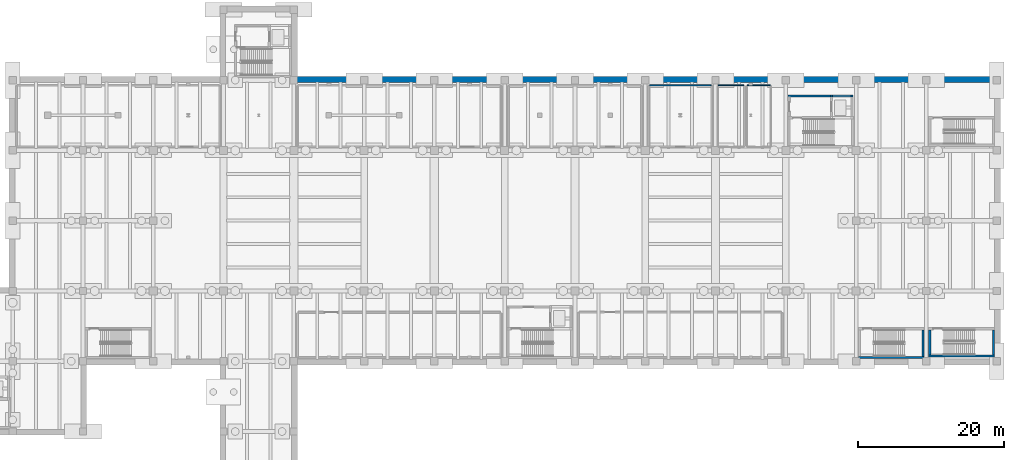
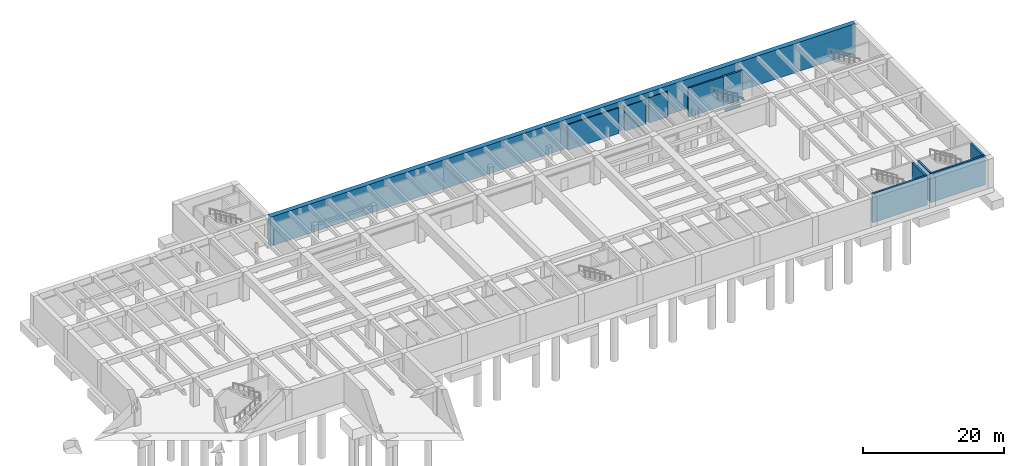
# One storey, part 13 of 24: 12 walls.
"""IFC4 building model written with IfcOpenShell, lengths in metres."""

import ifcopenshell
import ifcopenshell.guid

model = None  # the IFC model being written
_history = None  # IfcOwnerHistory: only IFC2X3 demands one
_inside = {}  # id of a spatial element -> (the spatial element, [elements in it])
_under = {}  # id of a project, library or spatial element -> (it, [spatial elements below it])
_declared = {}  # id of a project -> (the project, [libraries it declares])
_typed = {}  # id of a type object -> (the type object, [elements of that type])
_made_of = {}  # id of a material, layer set ... -> (it, [elements and type objects made of it])


def new_model(schema):
    """Start an empty IFC model of exactly this schema.

    Asked for "IFC4X3", IfcOpenShell would pick the latest addendum, in which some entities
    have other attributes; the version numbers below select the first issue.
    IFC2X3 requires an IfcOwnerHistory on every rooted entity: one is made here for all.
    """
    global model, _history
    if schema == "IFC4X3":
        model = ifcopenshell.file(schema_version=(4, 3, 0, 0))
    else:
        model = ifcopenshell.file(schema=schema)
    _inside.clear()
    _under.clear()
    _declared.clear()
    _typed.clear()
    _made_of.clear()
    _history = None
    if model.schema == "IFC2X3":
        org = make("IfcOrganization", Name="unknown")
        user = make(
            "IfcPersonAndOrganization",
            ThePerson=make("IfcPerson", FamilyName="unknown"),
            TheOrganization=org,
        )
        app = make(
            "IfcApplication",
            ApplicationDeveloper=org,
            Version="unknown",
            ApplicationFullName="unknown",
            ApplicationIdentifier="unknown",
        )
        _history = make(
            "IfcOwnerHistory",
            OwningUser=user,
            OwningApplication=app,
            ChangeAction="ADDED",
            CreationDate=0,
        )
    return model


def make(cls, **values):
    """One entity of the class cls with the attributes given. An attribute that is None is left unset."""
    return model.create_entity(
        cls, **{name: value for name, value in values.items() if value is not None}
    )


def rooted(cls, **values):
    """An entity with a GlobalId (a new one), such as an element, a storey or a relation."""
    return make(cls, GlobalId=ifcopenshell.guid.new(), OwnerHistory=_history, **values)


def si_unit(unit_type, name, prefix=None):
    """IfcSIUnit, for example si_unit("LENGTHUNIT", "METRE", prefix="MILLI")."""
    return make("IfcSIUnit", UnitType=unit_type, Prefix=prefix, Name=name)


def assignment(units):
    """IfcUnitAssignment: the units of a project."""
    return None if units is None else make("IfcUnitAssignment", Units=units)


def point(xyz):
    """IfcCartesianPoint."""
    return None if xyz is None else make("IfcCartesianPoint", Coordinates=xyz)


def direction(xyz):
    """IfcDirection."""
    return None if xyz is None else make("IfcDirection", DirectionRatios=xyz)


def frame(location, z_axis=None, x_axis=None):
    """IfcAxis2Placement3D, a coordinate frame: its origin and axes. An axis left out is left unset."""
    return make(
        "IfcAxis2Placement3D",
        Location=point(location),
        Axis=direction(z_axis),
        RefDirection=direction(x_axis),
    )


def frame_2d(location, x_axis=None):
    """IfcAxis2Placement2D, a coordinate frame in the plane: its origin and x axis."""
    return make(
        "IfcAxis2Placement2D", Location=point(location), RefDirection=direction(x_axis)
    )


def origin():
    """The frame at (0, 0, 0) with its axes left unset."""
    return frame((0.0, 0.0, 0.0))


def place(relative_to, where):
    """IfcLocalPlacement: puts the frame where relative to a parent placement (None: the world)."""
    return make(
        "IfcLocalPlacement", PlacementRelTo=relative_to, RelativePlacement=where
    )


def context(
    kind, dimensions, precision=None, world=None, true_north=None, identifier=None
):
    """IfcGeometricRepresentationContext, for example the 3D "Model" context."""
    return make(
        "IfcGeometricRepresentationContext",
        ContextIdentifier=identifier,
        ContextType=kind,
        CoordinateSpaceDimension=dimensions,
        Precision=precision,
        WorldCoordinateSystem=world,
        TrueNorth=true_north,
    )


def subcontext(parent, identifier, kind, view, scale=None):
    """IfcGeometricRepresentationSubContext, for example "Body" below "Model"."""
    return make(
        "IfcGeometricRepresentationSubContext",
        ContextIdentifier=identifier,
        ContextType=kind,
        ParentContext=parent,
        TargetScale=scale,
        TargetView=view,
    )


def project(units=None, contexts=None):
    """IfcProject with its units and contexts."""
    return rooted(
        "IfcProject",
        Name="project",
        RepresentationContexts=contexts,
        UnitsInContext=assignment(units),
    )


def spatial(cls, under=None, at=None, **own):
    """A site, building, storey or space (cls), placed at a placement, below another one or the project."""
    s = rooted(cls, ObjectPlacement=at, **own)
    if under is not None:
        _under.setdefault(under.id(), (under, []))[1].append(s)
    return s


def profile(cls, at=None, kind="AREA", **sizes):
    """A parametric profile (cls). Its sizes go by their IFC names, for example OverallWidth=200.0."""
    return make(cls, ProfileType=kind, Position=at, **sizes)


def rectangle(**sizes):
    """IfcRectangleProfileDef."""
    return profile("IfcRectangleProfileDef", **sizes)


def extrude(swept, where, along, depth):
    """IfcExtrudedAreaSolid: the profile swept, set in the frame where, extruded along a direction by depth."""
    return make(
        "IfcExtrudedAreaSolid",
        SweptArea=swept,
        Position=where,
        ExtrudedDirection=direction(along),
        Depth=depth,
    )


def shape(context_of_items, identifier, shape_type, items):
    """IfcShapeRepresentation: the items that make up one representation, for example the "Body"."""
    return make(
        "IfcShapeRepresentation",
        ContextOfItems=context_of_items,
        RepresentationIdentifier=identifier,
        RepresentationType=shape_type,
        Items=items,
    )


def material(Name=None, Category=None):
    """IfcMaterial."""
    return make("IfcMaterial", Name=Name, Category=Category)


def layer(
    of_material, thickness, ventilated=None, Name=None, Category=None, Priority=None
):
    """IfcMaterialLayer: one layer of a wall or slab, of a material (None: an air gap)."""
    return make(
        "IfcMaterialLayer",
        Material=of_material,
        LayerThickness=thickness,
        IsVentilated=ventilated,
        Name=Name,
        Category=Category,
        Priority=Priority,
    )


def layer_set(layers, Name=None):
    """IfcMaterialLayerSet."""
    return make("IfcMaterialLayerSet", MaterialLayers=layers, LayerSetName=Name)


def made_of(thing, what):
    """Note that an element or type object is made of a material, layer set ...; save() writes the relation."""
    if what is not None:
        _made_of.setdefault(what.id(), (what, []))[1].append(thing)
    return thing


def type_object(cls, material=None, **own):
    """A type object (cls), such as IfcWallType, which elements share."""
    return made_of(rooted(cls, **own), material)


def element(
    cls,
    number,
    at=None,
    inside=None,
    cuts=None,
    type_object=None,
    material=None,
    context=None,
    identifier="Body",
    shape_type=None,
    held_by="IfcProductDefinitionShape",
    body=None,
    shapes=None,
    **own,
):
    """One element of the class cls, such as IfcWall. Its Tag is "e" and its number.

    at: its placement. inside: the storey or other place that contains it. cuts: it is an
    opening in that element (IfcRelVoidsElement). A single representation is given by context,
    identifier, shape_type and body (its items); several are given by shapes. held_by: the class
    of the entity that holds the representations. save() writes the other relations.
    """
    e = rooted(cls, Tag="e%d" % number, ObjectPlacement=at, **own)
    if body is not None:
        shapes = [shape(context, identifier, shape_type, body)]
    if shapes is not None:
        e.Representation = make(held_by, Representations=shapes)
    if inside is not None:
        _inside.setdefault(inside.id(), (inside, []))[1].append(e)
    if cuts is not None:
        rooted(
            "IfcRelVoidsElement", RelatingBuildingElement=cuts, RelatedOpeningElement=e
        )
    if type_object is not None:
        _typed.setdefault(type_object.id(), (type_object, []))[1].append(e)
    return made_of(e, material)


def aggregate(whole, parts):
    """IfcRelAggregates: a whole, such as a stair, and the parts it consists of."""
    return rooted("IfcRelAggregates", RelatingObject=whole, RelatedObjects=parts)


def save(model, path):
    """Write the relations noted so far, then the file.

    IfcRelAggregates (storeys below a building ...), IfcRelContainedInSpatialStructure (elements
    in a storey), IfcRelDefinesByType, IfcRelAssociatesMaterial and IfcRelDeclares: one each for
    every whole, place, type object, material and project.
    """
    for whole, parts in _under.values():
        aggregate(whole, parts)
    for where, things in _inside.values():
        rooted(
            "IfcRelContainedInSpatialStructure",
            RelatedElements=things,
            RelatingStructure=where,
        )
    for kind, things in _typed.values():
        rooted("IfcRelDefinesByType", RelatedObjects=things, RelatingType=kind)
    for what, things in _made_of.values():
        rooted("IfcRelAssociatesMaterial", RelatedObjects=things, RelatingMaterial=what)
    for by, libraries in _declared.values():
        rooted("IfcRelDeclares", RelatingContext=by, RelatedDefinitions=libraries)
    model.write(path)


model = new_model("IFC4")

# Units and contexts
model_context = context("Model", 3, precision=1e-05, world=origin(), true_north=direction((0.0, 1.0)))
body_context = subcontext(model_context, "Body", "Model", "MODEL_VIEW")
ifc_project = project(units=[si_unit("LENGTHUNIT", "METRE"), si_unit("AREAUNIT", "SQUARE_METRE"), si_unit("VOLUMEUNIT", "CUBIC_METRE"), si_unit("PLANEANGLEUNIT", "RADIAN"), si_unit("MASSUNIT", "GRAM", prefix="KILO")], contexts=[model_context])

# Site, building, storey
site_placement = place(None, origin())
site = spatial("IfcSite", under=ifc_project, at=site_placement, CompositionType="ELEMENT")
building_placement = place(site_placement, origin())
building = spatial("IfcBuilding", under=site, at=building_placement, Name="Coralgate Yard Interchange", CompositionType="ELEMENT")
storey_placement = place(building_placement, frame((0.0, 0.0, -10.800048828125)))
storey = spatial("IfcBuildingStorey", under=building, at=storey_placement, Name="B2", CompositionType="ELEMENT", Elevation=-10.800048828125)

# Walls
ifc_material_1 = material(Name="Concrete C40/50", Category="concrete")
ifc_layer_1 = layer(ifc_material_1, 0.300048828125)
ifc_layer_set_1 = layer_set([ifc_layer_1], Name="Concrete C40/50")
wall_type_1 = type_object("IfcWallType", Name="WAL-CW300", PredefinedType="SHEAR", material=ifc_layer_set_1)
wall_1_placement = place(storey_placement, frame((144.300048828125, 39.110107421875, 0.0), z_axis=(0.0, 0.0, 1.0), x_axis=(1.0, 0.0, 0.0)))
element("IfcWall", 1, at=wall_1_placement, inside=storey, type_object=wall_type_1, Name="C10 B2 stair south shear wall", PredefinedType="SHEAR", context=body_context, shape_type="SweptSolid", body=[
    extrude(rectangle(XDim=9.0, YDim=0.300048828125, at=frame_2d((4.5, 0.0))), origin(), (0.0, 0.0, 1.0), 5.050048828125),
])
for number, where, z_axis, x_axis, name in (
    (2, (144.449951171875, 39.260009765625, 0.0), (0.0, 0.0, 1.0), (0.0, 1.0, 0.0), "C10 B2 stair west shear wall"),
    (3, (153.14990234375, 42.699951171875, 0.0), (0.0, 0.0, 1.0), (0.0, -1.0, 0.0), "C10 B2 stair east shear wall"),
):
    element("IfcWall", number, at=place(storey_placement, frame(where, z_axis=z_axis, x_axis=x_axis)), inside=storey, type_object=wall_type_1, Name=name, PredefinedType="SHEAR", context=body_context, shape_type="SweptSolid", body=[
        extrude(rectangle(XDim=3.43994140625, YDim=0.300048828125, at=frame_2d((1.719970703125, 0.0))), origin(), (0.0, 0.0, 1.0), 5.050048828125),
    ])
wall_2_placement = place(storey_placement, frame((134.699951171875, 38.89990234375, 0.0), z_axis=(0.0, 0.0, 1.0), x_axis=(1.0, 0.0, 0.0)))
element("IfcWall", 4, at=wall_2_placement, inside=storey, type_object=wall_type_1, Name="C13 B2 stair south shear wall", PredefinedType="SHEAR", context=body_context, shape_type="SweptSolid", body=[
    extrude(rectangle(XDim=9.0, YDim=0.300048828125, at=frame_2d((4.5, 0.0))), origin(), (0.0, 0.0, 1.0), 5.050048828125),
])
wall_3_placement = place(storey_placement, frame((143.550048828125, 42.699951171875, 0.0), z_axis=(0.0, 0.0, 1.0), x_axis=(0.0, -1.0, 0.0)))
element("IfcWall", 5, at=wall_3_placement, inside=storey, type_object=wall_type_1, Name="C13 B2 stair east shear wall", PredefinedType="SHEAR", context=body_context, shape_type="SweptSolid", body=[
    extrude(rectangle(XDim=3.64990234375, YDim=0.300048828125, at=frame_2d((1.824951171875, 0.0))), origin(), (0.0, 0.0, 1.0), 5.050048828125),
])
wall_4_placement = place(storey_placement, frame((130.89990234375, 74.64990234375, 0.0), z_axis=(0.0, 0.0, 1.0), x_axis=(1.0, 0.0, 0.0)))
element("IfcWall", 6, at=wall_4_placement, inside=storey, type_object=wall_type_1, Name="C7 B2 lift north shear wall", PredefinedType="SHEAR", context=body_context, shape_type="SweptSolid", body=[
    extrude(rectangle(XDim=3.10009765625, YDim=0.300048828125, at=frame_2d((1.550048828125, 0.0))), origin(), (0.0, 0.0, 1.0), 5.050048828125),
])
wall_5_placement = place(storey_placement, frame((131.199951171875, 74.64990234375, -1.199951171875), z_axis=(0.0, 0.0, 1.0), x_axis=(1.0, 0.0, 0.0)))
element("IfcWall", 7, at=wall_5_placement, inside=storey, type_object=wall_type_1, Name="LF-05 lift pit wall N", PredefinedType="SHEAR", context=body_context, shape_type="SweptSolid", body=[
    extrude(rectangle(XDim=2.5, YDim=0.300048828125, at=frame_2d((1.25, 0.0))), origin(), (0.0, 0.0, 1.0), 0.320068359375),
])
ifc_layer_2 = layer(ifc_material_1, 0.800048828125)
ifc_layer_set_2 = layer_set([ifc_layer_2], Name="Concrete C40/50")
wall_type_2 = type_object("IfcWallType", Name="WAL-DW800", PredefinedType="SOLIDWALL", material=ifc_layer_set_2)
wall_6_placement = place(storey_placement, frame((57.699951171875, 76.89990234375, 0.0), z_axis=(0.0, 0.0, 1.0), x_axis=(1.0, 0.0, 0.0)))
element("IfcWall", 8, at=wall_6_placement, inside=storey, type_object=wall_type_2, Name="B2 diaphragm retaining wall 11", PredefinedType="SOLIDWALL", context=body_context, shape_type="SweptSolid", body=[
    extrude(rectangle(XDim=96.0, YDim=0.800048828125, at=frame_2d((48.0, 0.0))), origin(), (0.0, 0.0, 1.0), 5.050048828125),
])
ifc_material_2 = material(Name="Moisture-resistant masonry washroom wall", Category="masonry")
ifc_layer_3 = layer(ifc_material_2, 0.14990234375)
ifc_layer_set_3 = layer_set([ifc_layer_3], Name="Moisture-resistant masonry washroom wall")
wall_type_3 = type_object("IfcWallType", Name="WAL-PW-150", PredefinedType="PLUMBINGWALL", material=ifc_layer_set_3)
wall_7_placement = place(storey_placement, frame((115.550048828125, 76.125, 0.0), z_axis=(0.0, 0.0, 1.0), x_axis=(1.0, 0.0, 0.0)))
element("IfcWall", 9, at=wall_7_placement, inside=storey, type_object=wall_type_3, Name="B2 Staff Washroom partition N", PredefinedType="PLUMBINGWALL", context=body_context, shape_type="SweptSolid", body=[
    extrude(rectangle(XDim=3.5, YDim=0.14990234375, at=frame_2d((1.75, 0.0))), origin(), (0.0, 0.0, 1.0), 4.239990234375),
])
wall_8_placement = place(storey_placement, frame((119.550048828125, 76.125, 0.0), z_axis=(0.0, 0.0, 1.0), x_axis=(1.0, 0.0, 0.0)))
element("IfcWall", 10, at=wall_8_placement, inside=storey, type_object=wall_type_3, Name="B2 Accessible WC partition N", PredefinedType="PLUMBINGWALL", context=body_context, shape_type="SweptSolid", body=[
    extrude(rectangle(XDim=3.099853515625, YDim=0.14990234375, at=frame_2d((1.5498046875, 0.0))), origin(), (0.0, 0.0, 1.0), 4.429931640625),
])
ifc_material_3 = material(Name="Concrete blockwork masonry", Category="masonry")
ifc_layer_4 = layer(ifc_material_3, 0.199951171875)
ifc_layer_set_4 = layer_set([ifc_layer_4], Name="Concrete blockwork masonry")
wall_type_4 = type_object("IfcWallType", Name="WAL-PW-200", PredefinedType="PARTITIONING", material=ifc_layer_set_4)
wall_9_placement = place(storey_placement, frame((106.199951171875, 76.10009765625, 0.0), z_axis=(0.0, 0.0, 1.0), x_axis=(1.0, 0.0, 0.0)))
element("IfcWall", 11, at=wall_9_placement, inside=storey, type_object=wall_type_4, Name="Platform Equipment Store partition N", PredefinedType="PARTITIONING", context=body_context, shape_type="SweptSolid", body=[
    extrude(rectangle(XDim=8.400146484375, YDim=0.199951171875, at=frame_2d((4.2001953125, 0.0))), origin(), (0.0, 0.0, 1.0), 4.429931640625),
])
ifc_layer_5 = layer(ifc_material_1, 0.25)
ifc_layer_set_5 = layer_set([ifc_layer_5], Name="Concrete C40/50")
wall_type_5 = type_object("IfcWallType", Name="WAL-SW250", PredefinedType="SHEAR", material=ifc_layer_set_5)
wall_10_placement = place(storey_placement, frame((130.89990234375, 74.625, 0.0), z_axis=(0.0, 0.0, 1.0), x_axis=(-1.0, 0.0, 0.0)))
element("IfcWall", 12, at=wall_10_placement, inside=storey, type_object=wall_type_5, Name="C7 B2 lobby north fire wall", PredefinedType="SHEAR", context=body_context, shape_type="SweptSolid", body=[
    extrude(rectangle(XDim=5.77490234375, YDim=0.25, at=frame_2d((2.887451171875, 0.0))), origin(), (0.0, 0.0, 1.0), 5.050048828125),
])

save(model, "model.ifc")
